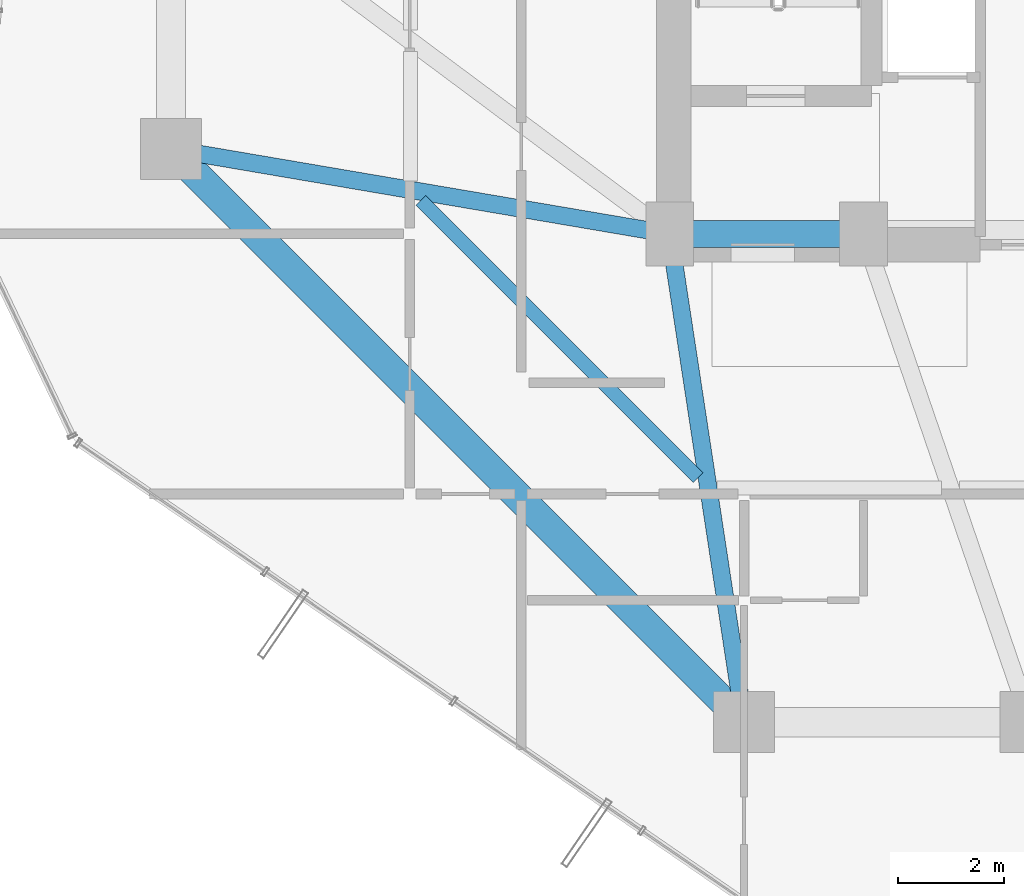
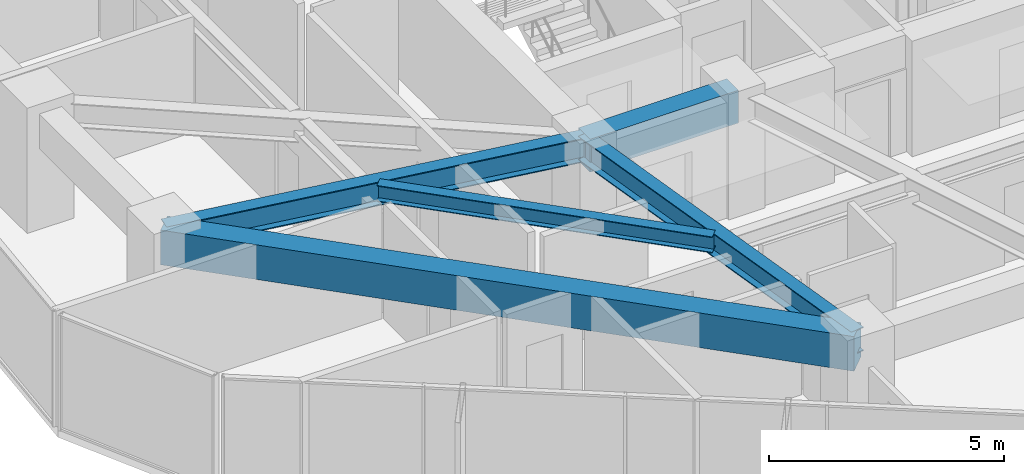
# One storey, part 5 of 30: 5 beams.
"""IFC4 building model written with IfcOpenShell, lengths in metres."""

from ifc_helpers import new_model, si_unit, direction, frame, origin, origin_2d, place, context, subcontext, project, spatial, rectangle, i_section, extrude, material, material_profile, profile_set, type_object, element, save


model = new_model("IFC4")

# Units and contexts
model_context = context("Model", 3, precision=1e-05, world=origin(), true_north=direction((0.0, 1.0)))
body_context = subcontext(model_context, "Body", "Model", "MODEL_VIEW")
ifc_project = project(units=[si_unit("LENGTHUNIT", "METRE"), si_unit("AREAUNIT", "SQUARE_METRE"), si_unit("VOLUMEUNIT", "CUBIC_METRE"), si_unit("PLANEANGLEUNIT", "RADIAN"), si_unit("MASSUNIT", "GRAM", prefix="KILO")], contexts=[model_context])

# Site, building, storey
site_placement = place(None, origin())
site = spatial("IfcSite", under=ifc_project, at=site_placement, CompositionType="ELEMENT")
building_placement = place(site_placement, origin())
building = spatial("IfcBuilding", under=site, at=building_placement, Name="Veraguas Prism Commons", CompositionType="ELEMENT")
storey_placement = place(building_placement, frame((0.0, 0.0, 113.25)))
storey = spatial("IfcBuildingStorey", under=building, at=storey_placement, Name="L31", CompositionType="ELEMENT", Elevation=113.25)

# Beams
ifc_material_1 = material(Name="Concrete C50/60", Category="concrete")
ifc_material_profile_1 = material_profile(ifc_material_1, rectangle(XDim=0.5, YDim=0.85009765625, at=origin_2d()), Name="RC500X850")
ifc_profile_set_1 = profile_set([ifc_material_profile_1], Name="Concrete C50/60")
beam_type_1 = type_object("IfcBeamType", Name="Core Coupling Beam RC 500x850", PredefinedType="BEAM", material=ifc_profile_set_1)
beam_1_placement = place(storey_placement, frame((17.199951171875, 17.0, 2.574951171875), z_axis=(1.0, 0.0, 0.0), x_axis=(0.0, 1.0, 0.0)))
element("IfcBeam", 1, at=beam_1_placement, inside=storey, type_object=beam_type_1, Name="Core Coupling Beam L31-CRS1", PredefinedType="BEAM", context=body_context, shape_type="SweptSolid", body=[
    extrude(rectangle(XDim=0.5, YDim=0.85009765625, at=origin_2d()), origin(), (0.0, 0.0, 1.0), 3.650146484375),
])
ifc_material_2 = material(Name="Steel ASTM A992 Grade 50", Category="steel")
ifc_material_profile_2 = material_profile(ifc_material_2, i_section(OverallWidth=0.260986328125, OverallDepth=0.419921875, WebThickness=0.01171875, FlangeThickness=0.019287109375, at=origin_2d()), Name="W410X114")
ifc_profile_set_2 = profile_set([ifc_material_profile_2], Name="Steel ASTM A992 Grade 50")
beam_type_2 = type_object("IfcBeamType", Name="Lower Floor Joist W410x114", PredefinedType="JOIST", material=ifc_profile_set_2)
beam_2_placement = place(storey_placement, frame((12.510009765625, 17.634033203125, 2.7900390625), z_axis=(0.707090260193, -0.707123301794, 0.0), x_axis=(0.707123301794, 0.707090260193, 0.0)))
element("IfcBeam", 2, at=beam_2_placement, inside=storey, type_object=beam_type_2, Name="Composite Floor Joist L31-JS09", PredefinedType="JOIST", context=body_context, shape_type="SweptSolid", body=[
    extrude(i_section(OverallWidth=0.260986328125, OverallDepth=0.419921875, WebThickness=0.01171875, FlangeThickness=0.019287109375, at=origin_2d()), origin(), (0.0, 0.0, 1.0), 7.388916015625),
])
ifc_material_profile_3 = material_profile(ifc_material_1, rectangle(XDim=0.550048828125, YDim=0.89990234375, at=origin_2d()), Name="RC550X900")
ifc_profile_set_3 = profile_set([ifc_material_profile_3], Name="Concrete C50/60")
beam_type_3 = type_object("IfcBeamType", Name="Perimeter Spandrel Lower RC 550x900", PredefinedType="SPANDREL", material=ifc_profile_set_3)
beam_3_placement = place(storey_placement, frame((7.800048828125, 18.60009765625, 2.550048828125), z_axis=(0.707106781187, -0.707106781187, 0.0), x_axis=(0.707106781187, 0.707106781187, 0.0)))
element("IfcBeam", 3, at=beam_3_placement, inside=storey, type_object=beam_type_3, Name="Perimeter Spandrel Beam L31-SP09", PredefinedType="SPANDREL", context=body_context, shape_type="SweptSolid", body=[
    extrude(rectangle(XDim=0.550048828125, YDim=0.89990234375, at=origin_2d()), origin(), (0.0, 0.0, 1.0), 15.273681640625),
])
ifc_material_profile_4 = material_profile(ifc_material_2, i_section(OverallWidth=0.327880859375, OverallDepth=0.6220703125, WebThickness=0.015380859375, FlangeThickness=0.0244140625, at=origin_2d()), Name="W610X195")
ifc_profile_set_4 = profile_set([ifc_material_profile_4], Name="Steel ASTM A992 Grade 50")
beam_type_4 = type_object("IfcBeamType", Name="Zone 2 Radial Girder W610x195", PredefinedType="BEAM", material=ifc_profile_set_4)
beam_4_placement = place(storey_placement, frame((7.800048828125, 18.60009765625, 2.68896484375), z_axis=(0.985819187151, -0.1678109956, 0.0), x_axis=(0.1678109956, 0.985819187151, 0.0)))
element("IfcBeam", 4, at=beam_4_placement, inside=storey, type_object=beam_type_4, Name="Radial Floor Girder L31-RD09", PredefinedType="BEAM", context=body_context, shape_type="SweptSolid", body=[
    extrude(i_section(OverallWidth=0.327880859375, OverallDepth=0.6220703125, WebThickness=0.015380859375, FlangeThickness=0.0244140625, at=origin_2d()), origin(), (0.0, 0.0, 1.0), 9.53515625),
])
beam_5_placement = place(storey_placement, frame((18.60009765625, 7.800048828125, 2.68896484375), z_axis=(-0.150458162136, 0.98861637729, 0.0), x_axis=(-0.98861637729, -0.150458162136, 0.0)))
element("IfcBeam", 5, at=beam_5_placement, inside=storey, type_object=beam_type_4, Name="Radial Floor Girder L31-RD10", PredefinedType="BEAM", context=body_context, shape_type="SweptSolid", body=[
    extrude(i_section(OverallWidth=0.327880859375, OverallDepth=0.6220703125, WebThickness=0.015380859375, FlangeThickness=0.0244140625, at=origin_2d()), origin(), (0.0, 0.0, 1.0), 9.305908203125),
])

save(model, "model.ifc")
